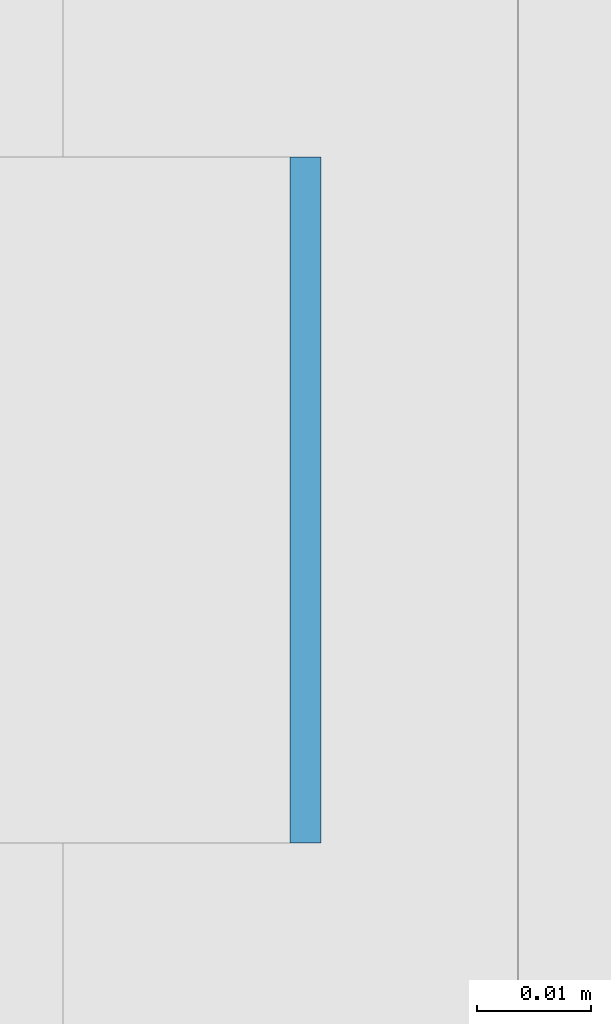
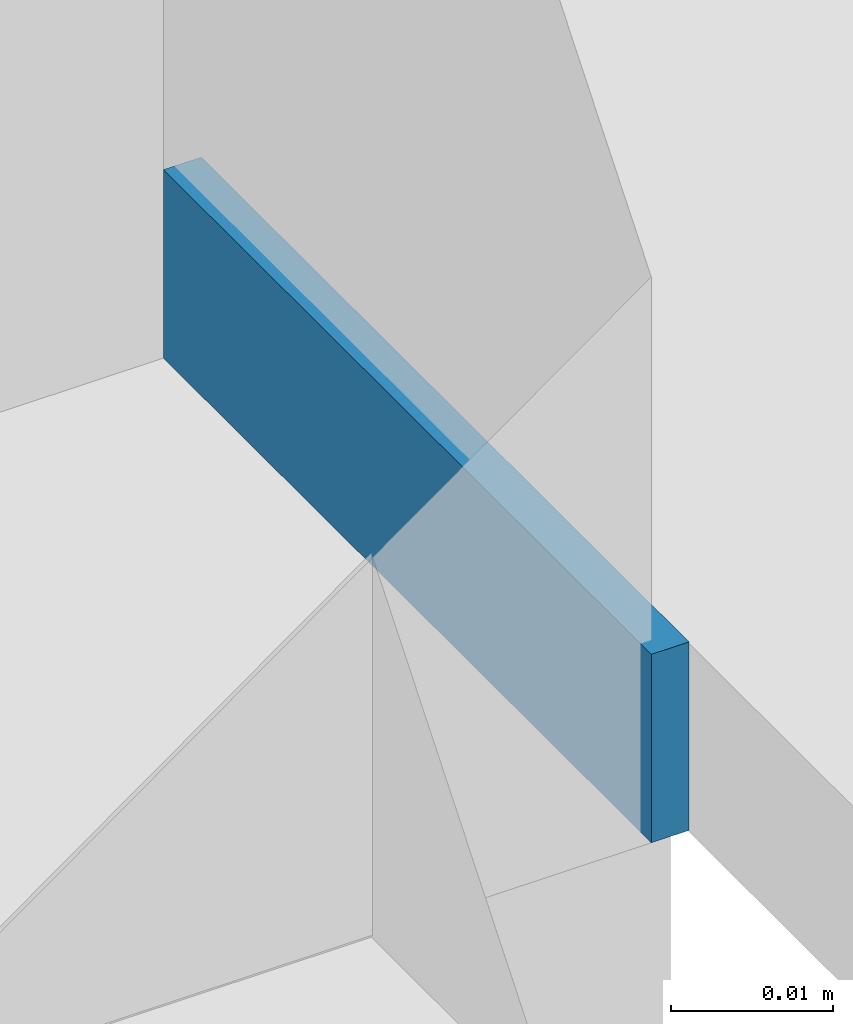
# One storey, part 330 of 646: 1 discrete accessory.
"""IFC4 building model written with IfcOpenShell, lengths in metres."""

from ifc_helpers import new_model, si_unit, direction, frame, origin, origin_2d, place, context, subcontext, project, spatial, rectangle, extrude, material, type_object, element, save


model = new_model("IFC4")

# Units and contexts
model_context = context("Model", 3, precision=1e-05, world=origin(), true_north=direction((0.0, 1.0)))
body_context = subcontext(model_context, "Body", "Model", "MODEL_VIEW")
ifc_project = project(units=[si_unit("LENGTHUNIT", "METRE"), si_unit("AREAUNIT", "SQUARE_METRE"), si_unit("VOLUMEUNIT", "CUBIC_METRE"), si_unit("PLANEANGLEUNIT", "RADIAN"), si_unit("MASSUNIT", "GRAM", prefix="KILO")], contexts=[model_context])

# Site, building, storey
site_placement = place(None, origin())
site = spatial("IfcSite", under=ifc_project, at=site_placement, CompositionType="ELEMENT")
building_placement = place(site_placement, origin())
building = spatial("IfcBuilding", under=site, at=building_placement, Name="Silverbay Arena", CompositionType="ELEMENT")
storey_placement = place(building_placement, frame((0.0, 0.0, 33.5)))
storey = spatial("IfcBuildingStorey", under=building, at=storey_placement, Name="L05", CompositionType="ELEMENT", Elevation=33.5)

# Discrete accessory
ifc_material = material(Name="Steel S355", Category="steel")
discrete_accessory_type = type_object("IfcDiscreteAccessoryType", Name="Steel bracket plate", PredefinedType="BRACKET", material=ifc_material)
discrete_accessory_placement = place(storey_placement, frame((53.871337890625, 79.71435546875, 4.0), z_axis=(0.0, 0.0, 1.0), x_axis=(1.0, 0.0, 0.0)))
element("IfcDiscreteAccessory", 1, at=discrete_accessory_placement, inside=storey, type_object=discrete_accessory_type, Name="Curtain wall packing plate", PredefinedType="BRACKET", context=body_context, shape_type="SweptSolid", body=[
    extrude(rectangle(XDim=0.002685546875, YDim=0.06005859375, at=origin_2d()), origin(), (0.0, 0.0, 1.0), 0.01416015625),
])

save(model, "model.ifc")
